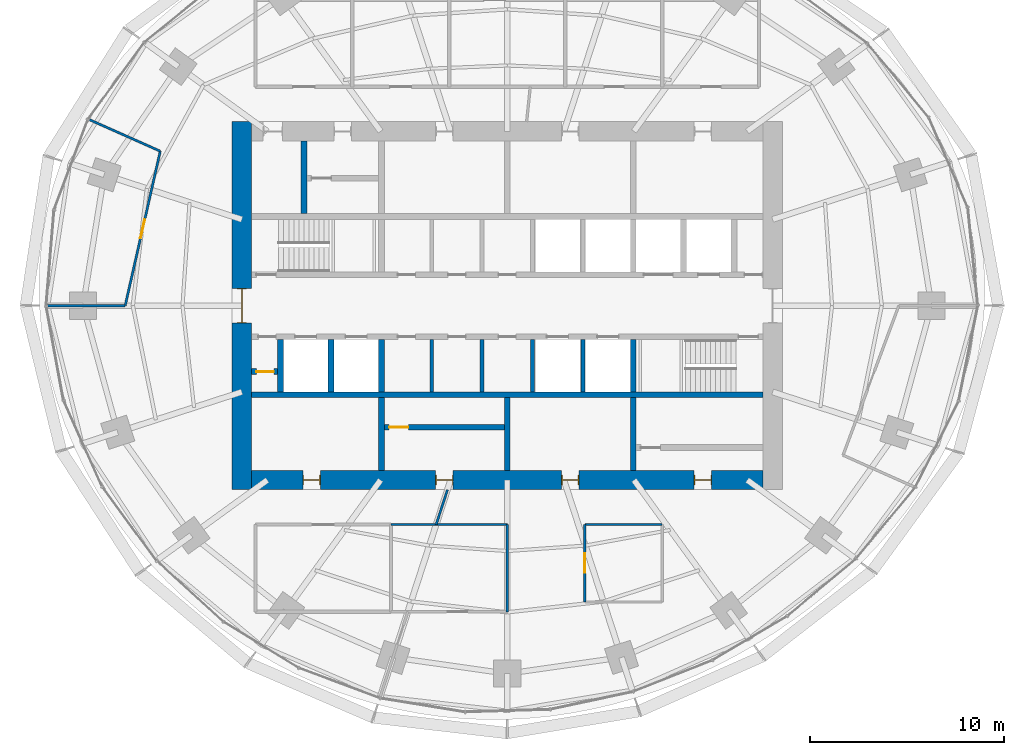
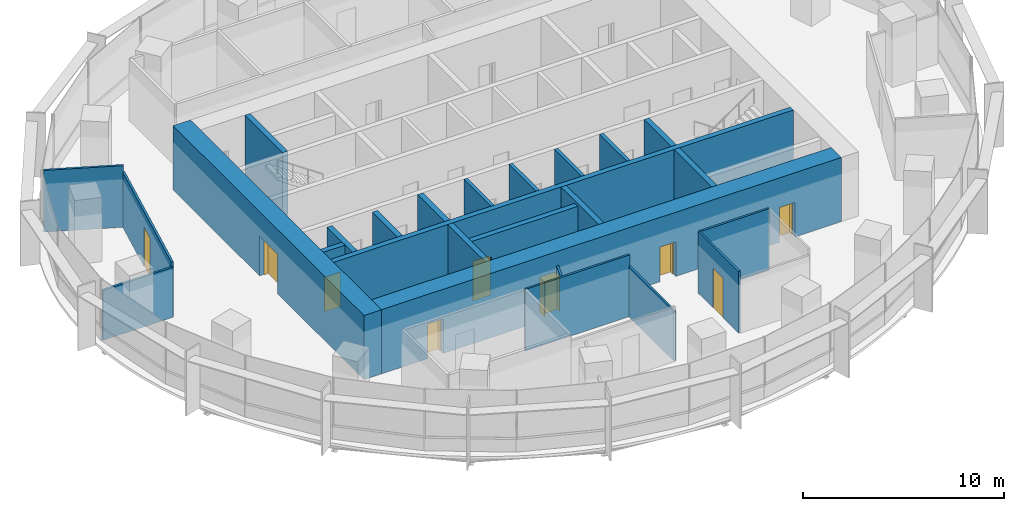
# One storey, part 10 of 14: 25 walls, 9 doors, 9 openings.
"""IFC4 building model written with IfcOpenShell, lengths in metres."""

from ifc_helpers import new_model, si_unit, direction, frame, frame_2d, origin, place, context, subcontext, project, spatial, rectangle, extrude, material, layer, layer_set, type_object, element, fill, save


model = new_model("IFC4")

# Units and contexts
model_context = context("Model", 3, precision=1e-05, world=origin(), true_north=direction((0.0, 1.0)))
body_context = subcontext(model_context, "Body", "Model", "MODEL_VIEW")
ifc_project = project(units=[si_unit("LENGTHUNIT", "METRE"), si_unit("AREAUNIT", "SQUARE_METRE"), si_unit("VOLUMEUNIT", "CUBIC_METRE"), si_unit("PLANEANGLEUNIT", "RADIAN"), si_unit("MASSUNIT", "GRAM", prefix="KILO")], contexts=[model_context])

# Site, building, storey
site_placement = place(None, origin())
site = spatial("IfcSite", under=ifc_project, at=site_placement, CompositionType="ELEMENT")
building_placement = place(site_placement, origin())
building = spatial("IfcBuilding", under=site, at=building_placement, Name="Marramba Exchange Tower", CompositionType="ELEMENT")
storey_placement = place(building_placement, frame((0.0, 0.0, 238.39990234375)))
storey = spatial("IfcBuildingStorey", under=building, at=storey_placement, Name="L58", CompositionType="ELEMENT", Elevation=238.39990234375)

# Walls
ifc_material_1 = material(Name="Concrete N50", Category="concrete")
ifc_layer_1 = layer(ifc_material_1, 0.199951171875)
ifc_layer_set_1 = layer_set([ifc_layer_1], Name="Core shaft wall 200")
wall_type_1 = type_object("IfcWallType", Name="Core shaft wall 200", PredefinedType="SHEAR", material=ifc_layer_set_1)
for number, where, z_axis, x_axis, name in (
    (1, (-3.89990234375, -1.75, 0.0), (0.0, 0.0, 1.0), (0.0, -1.0, 0.0), "Core wall SHS1 L58"),
    (2, (-1.300048828125, -1.75, 0.0), (0.0, 0.0, 1.0), (0.0, -1.0, 0.0), "Core wall SHS2 L58"),
    (3, (1.300048828125, -1.75, 0.0), (0.0, 0.0, 1.0), (0.0, -1.0, 0.0), "Core wall SHS3 L58"),
    (4, (3.89990234375, -1.75, 0.0), (0.0, 0.0, 1.0), (0.0, -1.0, 0.0), "Core wall SHS4 L58"),
):
    element("IfcWall", number, at=place(storey_placement, frame(where, z_axis=z_axis, x_axis=x_axis)), inside=storey, type_object=wall_type_1, Name=name, PredefinedType="SHEAR", context=body_context, shape_type="SweptSolid", body=[
        extrude(rectangle(XDim=2.699951171875, YDim=0.199951171875, at=frame_2d((1.35009765625, 0.0))), origin(), (0.0, 0.0, 1.0), 3.900146484375),
    ])

# Wall, openings, doors
ifc_layer_2 = layer(ifc_material_1, 1.0)
ifc_layer_set_2 = layer_set([ifc_layer_2], Name="Core wall 1000")
wall_type_2 = type_object("IfcWallType", Name="Core wall 1000", PredefinedType="SHEAR", material=ifc_layer_set_2)
wall_1_placement = place(storey_placement, frame((-13.199951171875, -9.0, 0.0), z_axis=(0.0, 0.0, 1.0), x_axis=(1.0, 0.0, 0.0)))
wall_1 = element("IfcWall", 5, at=wall_1_placement, inside=storey, type_object=wall_type_2, Name="Core wall S L58", PredefinedType="SHEAR", context=body_context, shape_type="SweptSolid", body=[
    extrude(rectangle(XDim=26.39990234375, YDim=1.0, at=frame_2d((13.199951171875, 0.0))), origin(), (0.0, 0.0, 1.0), 3.900146484375),
])
opening_1_placement = place(wall_1_placement, frame((2.64990234375, 0.0, 0.0)))
opening_1 = element("IfcOpeningElement", 6, at=opening_1_placement, cuts=wall_1, Name="Opening D5", PredefinedType="OPENING", context=body_context, shape_type="SweptSolid", body=[
    extrude(rectangle(XDim=0.89990234375, YDim=2.10009765625, at=frame_2d((0.449951171875, 1.050048828125))), frame((0.0, 0.510009765625, 0.0), z_axis=(0.0, -1.0, 0.0), x_axis=(1.0, 0.0, 0.0)), (0.0, 0.0, 1.0), 1.02001953125),
])
opening_2_placement = place(wall_1_placement, frame((9.5, 0.0, 0.0)))
opening_2 = element("IfcOpeningElement", 7, at=opening_2_placement, cuts=wall_1, Name="Opening D5", PredefinedType="OPENING", context=body_context, shape_type="SweptSolid", body=[
    extrude(rectangle(XDim=0.89990234375, YDim=2.10009765625, at=frame_2d((0.449951171875, 1.050048828125))), frame((0.0, 0.510009765625, 0.0), z_axis=(0.0, -1.0, 0.0), x_axis=(1.0, 0.0, 0.0)), (0.0, 0.0, 1.0), 1.02001953125),
])
opening_3_placement = place(wall_1_placement, frame((16.0, 0.0, 0.0)))
opening_3 = element("IfcOpeningElement", 8, at=opening_3_placement, cuts=wall_1, Name="Opening D5", PredefinedType="OPENING", context=body_context, shape_type="SweptSolid", body=[
    extrude(rectangle(XDim=0.89990234375, YDim=2.10009765625, at=frame_2d((0.449951171875, 1.050048828125))), frame((0.0, 0.510009765625, 0.0), z_axis=(0.0, -1.0, 0.0), x_axis=(1.0, 0.0, 0.0)), (0.0, 0.0, 1.0), 1.02001953125),
])
opening_4_placement = place(wall_1_placement, frame((22.85009765625, 0.0, 0.0)))
opening_4 = element("IfcOpeningElement", 9, at=opening_4_placement, cuts=wall_1, Name="Opening D5", PredefinedType="OPENING", context=body_context, shape_type="SweptSolid", body=[
    extrude(rectangle(XDim=0.89990234375, YDim=2.10009765625, at=frame_2d((0.449951171875, 1.050048828125))), frame((0.0, 0.510009765625, 0.0), z_axis=(0.0, -1.0, 0.0), x_axis=(1.0, 0.0, 0.0)), (0.0, 0.0, 1.0), 1.02001953125),
])
ifc_material_2 = material(Name="Steel-framed door", Category="steel")
door_type_1 = type_object("IfcDoorType", Name="Service door 900x2100", OperationType="SINGLE_SWING_LEFT", PredefinedType="DOOR", material=ifc_material_2)
door_1_placement = place(opening_1_placement, origin())
door_1 = element("IfcDoor", 10, at=door_1_placement, inside=storey, type_object=door_type_1, Name="D5 ahu L58", OperationType="SINGLE_SWING_LEFT", OverallHeight=2.10009765625, OverallWidth=0.89990234375, PredefinedType="DOOR", context=body_context, shape_type="SweptSolid", body=[
    extrude(rectangle(XDim=0.81982421875, YDim=2.06005859375, at=frame_2d((0.449951171875, 1.030029296875))), frame((0.0, 0.02490234375, 0.0), z_axis=(0.0, -1.0, 0.0), x_axis=(1.0, 0.0, 0.0)), (0.0, 0.0, 1.0), 0.050048828125),
    extrude(rectangle(XDim=0.04, YDim=2.10009765625, at=frame_2d((0.02001953125, 1.050048828125))), frame((0.0, 0.25, 0.0), z_axis=(0.0, -1.0, 0.0), x_axis=(1.0, 0.0, 0.0)), (0.0, 0.0, 1.0), 0.5),
    extrude(rectangle(XDim=0.04, YDim=2.10009765625, at=frame_2d((0.8798828125, 1.050048828125))), frame((0.0, 0.25, 0.0), z_axis=(0.0, -1.0, 0.0), x_axis=(1.0, 0.0, 0.0)), (0.0, 0.0, 1.0), 0.5),
    extrude(rectangle(XDim=0.81982421875, YDim=0.04, at=frame_2d((0.449951171875, 2.080078125))), frame((0.0, 0.25, 0.0), z_axis=(0.0, -1.0, 0.0), x_axis=(1.0, 0.0, 0.0)), (0.0, 0.0, 1.0), 0.5),
])
fill(opening_1, door_1)
door_2_placement = place(opening_2_placement, origin())
door_2 = element("IfcDoor", 11, at=door_2_placement, inside=storey, type_object=door_type_1, Name="D5 store L58", OperationType="SINGLE_SWING_RIGHT", OverallHeight=2.10009765625, OverallWidth=0.89990234375, PredefinedType="DOOR", context=body_context, shape_type="SweptSolid", body=[
    extrude(rectangle(XDim=0.81982421875, YDim=2.06005859375, at=frame_2d((0.449951171875, 1.030029296875))), frame((0.0, 0.02490234375, 0.0), z_axis=(0.0, -1.0, 0.0), x_axis=(1.0, 0.0, 0.0)), (0.0, 0.0, 1.0), 0.050048828125),
    extrude(rectangle(XDim=0.04, YDim=2.10009765625, at=frame_2d((0.02001953125, 1.050048828125))), frame((0.0, 0.25, 0.0), z_axis=(0.0, -1.0, 0.0), x_axis=(1.0, 0.0, 0.0)), (0.0, 0.0, 1.0), 0.5),
    extrude(rectangle(XDim=0.04, YDim=2.10009765625, at=frame_2d((0.8798828125, 1.050048828125))), frame((0.0, 0.25, 0.0), z_axis=(0.0, -1.0, 0.0), x_axis=(1.0, 0.0, 0.0)), (0.0, 0.0, 1.0), 0.5),
    extrude(rectangle(XDim=0.81982421875, YDim=0.04, at=frame_2d((0.449951171875, 2.080078125))), frame((0.0, 0.25, 0.0), z_axis=(0.0, -1.0, 0.0), x_axis=(1.0, 0.0, 0.0)), (0.0, 0.0, 1.0), 0.5),
])
fill(opening_2, door_2)
door_3_placement = place(opening_3_placement, origin())
door_3 = element("IfcDoor", 12, at=door_3_placement, inside=storey, type_object=door_type_1, Name="D5 switch L58", OperationType="SINGLE_SWING_RIGHT", OverallHeight=2.10009765625, OverallWidth=0.89990234375, PredefinedType="DOOR", context=body_context, shape_type="SweptSolid", body=[
    extrude(rectangle(XDim=0.81982421875, YDim=2.06005859375, at=frame_2d((0.449951171875, 1.030029296875))), frame((0.0, 0.02490234375, 0.0), z_axis=(0.0, -1.0, 0.0), x_axis=(1.0, 0.0, 0.0)), (0.0, 0.0, 1.0), 0.050048828125),
    extrude(rectangle(XDim=0.04, YDim=2.10009765625, at=frame_2d((0.02001953125, 1.050048828125))), frame((0.0, 0.25, 0.0), z_axis=(0.0, -1.0, 0.0), x_axis=(1.0, 0.0, 0.0)), (0.0, 0.0, 1.0), 0.5),
    extrude(rectangle(XDim=0.04, YDim=2.10009765625, at=frame_2d((0.8798828125, 1.050048828125))), frame((0.0, 0.25, 0.0), z_axis=(0.0, -1.0, 0.0), x_axis=(1.0, 0.0, 0.0)), (0.0, 0.0, 1.0), 0.5),
    extrude(rectangle(XDim=0.81982421875, YDim=0.04, at=frame_2d((0.449951171875, 2.080078125))), frame((0.0, 0.25, 0.0), z_axis=(0.0, -1.0, 0.0), x_axis=(1.0, 0.0, 0.0)), (0.0, 0.0, 1.0), 0.5),
])
fill(opening_3, door_3)
door_4_placement = place(opening_4_placement, origin())
door_4 = element("IfcDoor", 13, at=door_4_placement, inside=storey, type_object=door_type_1, Name="D5 cstore L58", OperationType="SINGLE_SWING_RIGHT", OverallHeight=2.10009765625, OverallWidth=0.89990234375, PredefinedType="DOOR", context=body_context, shape_type="SweptSolid", body=[
    extrude(rectangle(XDim=0.81982421875, YDim=2.06005859375, at=frame_2d((0.449951171875, 1.030029296875))), frame((0.0, 0.02490234375, 0.0), z_axis=(0.0, -1.0, 0.0), x_axis=(1.0, 0.0, 0.0)), (0.0, 0.0, 1.0), 0.050048828125),
    extrude(rectangle(XDim=0.04, YDim=2.10009765625, at=frame_2d((0.02001953125, 1.050048828125))), frame((0.0, 0.25, 0.0), z_axis=(0.0, -1.0, 0.0), x_axis=(1.0, 0.0, 0.0)), (0.0, 0.0, 1.0), 0.5),
    extrude(rectangle(XDim=0.04, YDim=2.10009765625, at=frame_2d((0.8798828125, 1.050048828125))), frame((0.0, 0.25, 0.0), z_axis=(0.0, -1.0, 0.0), x_axis=(1.0, 0.0, 0.0)), (0.0, 0.0, 1.0), 0.5),
    extrude(rectangle(XDim=0.81982421875, YDim=0.04, at=frame_2d((0.449951171875, 2.080078125))), frame((0.0, 0.25, 0.0), z_axis=(0.0, -1.0, 0.0), x_axis=(1.0, 0.0, 0.0)), (0.0, 0.0, 1.0), 0.5),
])
fill(opening_4, door_4)

# Wall, opening, door
wall_2_placement = place(storey_placement, frame((-13.699951171875, 9.5, 0.0), z_axis=(0.0, 0.0, 1.0), x_axis=(0.0, -1.0, 0.0)))
wall_2 = element("IfcWall", 14, at=wall_2_placement, inside=storey, type_object=wall_type_2, Name="Core wall W L58", PredefinedType="SHEAR", context=body_context, shape_type="SweptSolid", body=[
    extrude(rectangle(XDim=19.0, YDim=1.0, at=frame_2d((9.5, 0.0))), origin(), (0.0, 0.0, 1.0), 3.900146484375),
])
opening_5_placement = place(wall_2_placement, frame((8.60009765625, 0.0, 0.0)))
opening_5 = element("IfcOpeningElement", 15, at=opening_5_placement, cuts=wall_2, Name="Opening D1", PredefinedType="OPENING", context=body_context, shape_type="SweptSolid", body=[
    extrude(rectangle(XDim=1.800048828125, YDim=2.39990234375, at=frame_2d((0.89990234375, 1.199951171875))), frame((0.0, 0.510009765625, 0.0), z_axis=(0.0, -1.0, 0.0), x_axis=(1.0, 0.0, 0.0)), (0.0, 0.0, 1.0), 1.02001953125),
])
door_type_2 = type_object("IfcDoorType", Name="Lobby exit door 1800x2400", OperationType="DOUBLE_DOOR_SINGLE_SWING", PredefinedType="DOOR", material=ifc_material_2)
door_5_placement = place(opening_5_placement, origin())
door_5 = element("IfcDoor", 16, at=door_5_placement, inside=storey, type_object=door_type_2, Name="D1 lobby exit west L58", OperationType="DOUBLE_DOOR_SINGLE_SWING", OverallHeight=2.39990234375, OverallWidth=1.800048828125, PredefinedType="DOOR", context=body_context, shape_type="SweptSolid", body=[
    extrude(rectangle(XDim=1.719970703125, YDim=2.35986328125, at=frame_2d((0.89990234375, 1.179931640625))), frame((0.0, 0.02490234375, 0.0), z_axis=(0.0, -1.0, 0.0), x_axis=(1.0, 0.0, 0.0)), (0.0, 0.0, 1.0), 0.050048828125),
    extrude(rectangle(XDim=0.04, YDim=2.39990234375, at=frame_2d((0.02001953125, 1.199951171875))), frame((0.0, 0.25, 0.0), z_axis=(0.0, -1.0, 0.0), x_axis=(1.0, 0.0, 0.0)), (0.0, 0.0, 1.0), 0.5),
    extrude(rectangle(XDim=0.04, YDim=2.39990234375, at=frame_2d((1.780029296875, 1.199951171875))), frame((0.0, 0.25, 0.0), z_axis=(0.0, -1.0, 0.0), x_axis=(1.0, 0.0, 0.0)), (0.0, 0.0, 1.0), 0.5),
    extrude(rectangle(XDim=1.719970703125, YDim=0.04, at=frame_2d((0.89990234375, 2.3798828125))), frame((0.0, 0.25, 0.0), z_axis=(0.0, -1.0, 0.0), x_axis=(1.0, 0.0, 0.0)), (0.0, 0.0, 1.0), 0.5),
])
fill(opening_5, door_5)

# Walls
ifc_layer_3 = layer(ifc_material_1, 0.300048828125)
ifc_layer_set_3 = layer_set([ifc_layer_3], Name="Core wall 300")
wall_type_3 = type_object("IfcWallType", Name="Core wall 300", PredefinedType="SHEAR", material=ifc_layer_set_3)
wall_3_placement = place(storey_placement, frame((-13.199951171875, -4.60009765625, 0.0), z_axis=(0.0, 0.0, 1.0), x_axis=(1.0, 0.0, 0.0)))
element("IfcWall", 17, at=wall_3_placement, inside=storey, type_object=wall_type_3, Name="Core wall BS L58", PredefinedType="SHEAR", context=body_context, shape_type="SweptSolid", body=[
    extrude(rectangle(XDim=26.39990234375, YDim=0.300048828125, at=frame_2d((13.199951171875, 0.0))), origin(), (0.0, 0.0, 1.0), 3.900146484375),
])
wall_4_placement = place(storey_placement, frame((-6.5, -1.75, 0.0), z_axis=(0.0, 0.0, 1.0), x_axis=(0.0, -1.0, 0.0)))
element("IfcWall", 18, at=wall_4_placement, inside=storey, type_object=wall_type_3, Name="Core wall X0Sa L58", PredefinedType="SHEAR", context=body_context, shape_type="SweptSolid", body=[
    extrude(rectangle(XDim=2.699951171875, YDim=0.300048828125, at=frame_2d((1.35009765625, 0.0))), origin(), (0.0, 0.0, 1.0), 3.900146484375),
])
wall_5_placement = place(storey_placement, frame((-6.5, -4.75, 0.0), z_axis=(0.0, 0.0, 1.0), x_axis=(0.0, -1.0, 0.0)))
element("IfcWall", 19, at=wall_5_placement, inside=storey, type_object=wall_type_3, Name="Core wall X0Sb L58", PredefinedType="SHEAR", context=body_context, shape_type="SweptSolid", body=[
    extrude(rectangle(XDim=3.75, YDim=0.300048828125, at=frame_2d((1.875, 0.0))), origin(), (0.0, 0.0, 1.0), 3.900146484375),
])
wall_6_placement = place(storey_placement, frame((6.5, -1.75, 0.0), z_axis=(0.0, 0.0, 1.0), x_axis=(0.0, -1.0, 0.0)))
element("IfcWall", 20, at=wall_6_placement, inside=storey, type_object=wall_type_3, Name="Core wall X1Sa L58", PredefinedType="SHEAR", context=body_context, shape_type="SweptSolid", body=[
    extrude(rectangle(XDim=2.699951171875, YDim=0.300048828125, at=frame_2d((1.35009765625, 0.0))), origin(), (0.0, 0.0, 1.0), 3.900146484375),
])
for number, where, z_axis, x_axis, name in (
    (21, (6.5, -4.75, 0.0), (0.0, 0.0, 1.0), (0.0, -1.0, 0.0), "Core wall X1Sb L58"),
    (22, (0.0, -4.75, 0.0), (0.0, 0.0, 1.0), (0.0, -1.0, 0.0), "Core wall MS L58"),
    (23, (-10.5, 4.75, 0.0), (0.0, 0.0, 1.0), (0.0, 1.0, 0.0), "Core wall WD L58"),
):
    element("IfcWall", number, at=place(storey_placement, frame(where, z_axis=z_axis, x_axis=x_axis)), inside=storey, type_object=wall_type_3, Name=name, PredefinedType="SHEAR", context=body_context, shape_type="SweptSolid", body=[
        extrude(rectangle(XDim=3.75, YDim=0.300048828125, at=frame_2d((1.875, 0.0))), origin(), (0.0, 0.0, 1.0), 3.900146484375),
    ])
ifc_material_3 = material(Name="Core-filled concrete blockwork", Category="masonry")
ifc_layer_4 = layer(ifc_material_3, 0.300048828125)
ifc_layer_set_4 = layer_set([ifc_layer_4], Name="Lift shaft wall 300")
wall_type_4 = type_object("IfcWallType", Name="Lift shaft wall 300", PredefinedType="SOLIDWALL", material=ifc_layer_set_4)
for number, where, z_axis, x_axis, name in (
    (24, (-9.10009765625, -1.75, 0.0), (0.0, 0.0, 1.0), (0.0, -1.0, 0.0), "Lift shaft wall W1 L58"),
    (25, (-11.699951171875, -1.75, 0.0), (0.0, 0.0, 1.0), (0.0, -1.0, 0.0), "Lift shaft wall W2 L58"),
):
    element("IfcWall", number, at=place(storey_placement, frame(where, z_axis=z_axis, x_axis=x_axis)), inside=storey, type_object=wall_type_4, Name=name, PredefinedType="SOLIDWALL", context=body_context, shape_type="SweptSolid", body=[
        extrude(rectangle(XDim=2.699951171875, YDim=0.300048828125, at=frame_2d((1.35009765625, 0.0))), origin(), (0.0, 0.0, 1.0), 3.739990234375),
    ])
ifc_material_4 = material(Name="Plasterboard on steel studs", Category="steel")
ifc_layer_5 = layer(ifc_material_4, 0.1201171875)
ifc_layer_set_5 = layer_set([ifc_layer_5], Name="Partition 120")
wall_type_5 = type_object("IfcWallType", Name="Partition 120", PredefinedType="PARTITIONING", material=ifc_layer_set_5)
wall_7_placement = place(storey_placement, frame((-3.671630859375, -11.300048828125, 0.0), z_axis=(0.0, 0.0, 1.0), x_axis=(0.309059822154, 0.95104259964, 0.0)))
element("IfcWall", 26, at=wall_7_placement, inside=storey, type_object=wall_type_5, Name="Partition L58 06", PredefinedType="PARTITIONING", context=body_context, shape_type="SweptSolid", body=[
    extrude(rectangle(XDim=1.892822265625, YDim=0.1201171875, at=frame_2d((0.9462890625, 0.0))), origin(), (0.0, 0.0, 1.0), 3.0400390625),
])
wall_8_placement = place(storey_placement, frame((0.0, -11.300048828125, 0.0), z_axis=(0.0, 0.0, 1.0), x_axis=(-1.0, 0.0, 0.0)))
element("IfcWall", 27, at=wall_8_placement, inside=storey, type_object=wall_type_5, Name="Partition L58 07", PredefinedType="PARTITIONING", context=body_context, shape_type="SweptSolid", body=[
    extrude(rectangle(XDim=6.0, YDim=0.1201171875, at=frame_2d((3.0, 0.0))), origin(), (0.0, 0.0, 1.0), 3.739990234375),
])
wall_9_placement = place(storey_placement, frame((0.0, -15.800048828125, 0.0), z_axis=(0.0, 0.0, 1.0), x_axis=(0.0, 1.0, 0.0)))
element("IfcWall", 28, at=wall_9_placement, inside=storey, type_object=wall_type_5, Name="Partition L58 09", PredefinedType="PARTITIONING", context=body_context, shape_type="SweptSolid", body=[
    extrude(rectangle(XDim=4.5, YDim=0.1201171875, at=frame_2d((2.25, 0.0))), origin(), (0.0, 0.0, 1.0), 3.0400390625),
])

# Wall, opening, door
wall_10_placement = place(storey_placement, frame((4.0, -15.300048828125, 0.0), z_axis=(0.0, 0.0, 1.0), x_axis=(0.0, 1.0, 0.0)))
wall_10 = element("IfcWall", 29, at=wall_10_placement, inside=storey, type_object=wall_type_5, Name="Partition L58 10", PredefinedType="PARTITIONING", context=body_context, shape_type="SweptSolid", body=[
    extrude(rectangle(XDim=4.0, YDim=0.1201171875, at=frame_2d((2.0, 0.0))), origin(), (0.0, 0.0, 1.0), 3.739990234375),
])
opening_6_placement = place(wall_10_placement, frame((1.52587890625, 0.0, 0.0)))
opening_6 = element("IfcOpeningElement", 30, at=opening_6_placement, cuts=wall_10, Name="Opening D9", PredefinedType="OPENING", context=body_context, shape_type="SweptSolid", body=[
    extrude(rectangle(XDim=1.0, YDim=2.39990234375, at=frame_2d((0.5, 1.199951171875))), frame((0.0, 0.070068359375, 0.0), z_axis=(0.0, -1.0, 0.0), x_axis=(1.0, 0.0, 0.0)), (0.0, 0.0, 1.0), 0.14013671875),
])
ifc_material_5 = material(Name="Timber door", Category="wood")
door_type_3 = type_object("IfcDoorType", Name="Room door 1000x2400", OperationType="SINGLE_SWING_LEFT", PredefinedType="DOOR", material=ifc_material_5)
door_6_placement = place(opening_6_placement, frame((1.0, 0.0, 0.0), z_axis=(0.0, 0.0, 1.0), x_axis=(-1.0, 0.0, 0.0)))
door_6 = element("IfcDoor", 31, at=door_6_placement, inside=storey, type_object=door_type_3, Name="D9 Print Room L58", OperationType="SINGLE_SWING_LEFT", OverallHeight=2.39990234375, OverallWidth=1.0, PredefinedType="DOOR", context=body_context, shape_type="SweptSolid", body=[
    extrude(rectangle(XDim=1.0, YDim=2.39990234375, at=frame_2d((0.5, 1.199951171875))), frame((0.0, 0.025146484375, 0.0), z_axis=(0.0, -1.0, 0.0), x_axis=(1.0, 0.0, 0.0)), (0.0, 0.0, 1.0), 0.050048828125),
])
fill(opening_6, door_6)

# Walls
for number, where, z_axis, x_axis, name in (
    (32, (4.0, -11.300048828125, 0.0), (0.0, 0.0, 1.0), (1.0, 0.0, 0.0), "Partition L58 12"),
    (33, (-17.914794921875, 7.976318359375, 0.0), (0.0, 0.0, 1.0), (-0.913549606868, 0.406727323635, 0.0), "Partition L58 27"),
):
    element("IfcWall", number, at=place(storey_placement, frame(where, z_axis=z_axis, x_axis=x_axis)), inside=storey, type_object=wall_type_5, Name=name, PredefinedType="PARTITIONING", context=body_context, shape_type="SweptSolid", body=[
        extrude(rectangle(XDim=4.0, YDim=0.1201171875, at=frame_2d((2.0, 0.0))), origin(), (0.0, 0.0, 1.0), 3.739990234375),
    ])

# Wall, opening, door
wall_11_placement = place(storey_placement, frame((-19.72607421875, 0.0, 0.0), z_axis=(0.0, 0.0, 1.0), x_axis=(0.221444355936, 0.975173008868, 0.0)))
wall_11 = element("IfcWall", 34, at=wall_11_placement, inside=storey, type_object=wall_type_5, Name="Partition L58 28", PredefinedType="PARTITIONING", context=body_context, shape_type="SweptSolid", body=[
    extrude(rectangle(XDim=8.179443359375, YDim=0.1201171875, at=frame_2d((4.08984375, 0.0))), origin(), (0.0, 0.0, 1.0), 3.333984375),
])
opening_7_placement = place(wall_11_placement, frame((3.56494140625, 0.0, 0.0)))
opening_7 = element("IfcOpeningElement", 35, at=opening_7_placement, cuts=wall_11, Name="Opening D9", PredefinedType="OPENING", context=body_context, shape_type="SweptSolid", body=[
    extrude(rectangle(XDim=1.0, YDim=2.39990234375, at=frame_2d((0.5, 1.199951171875))), frame((0.0, 0.070068359375, 0.0), z_axis=(0.0, -1.0, 0.0), x_axis=(1.0, 0.0, 0.0)), (0.0, 0.0, 1.0), 0.14013671875),
])
door_7_placement = place(opening_7_placement, origin())
door_7 = element("IfcDoor", 36, at=door_7_placement, inside=storey, type_object=door_type_3, Name="D9 Office 2 L58", OperationType="SINGLE_SWING_RIGHT", OverallHeight=2.39990234375, OverallWidth=1.0, PredefinedType="DOOR", context=body_context, shape_type="SweptSolid", body=[
    extrude(rectangle(XDim=1.0, YDim=2.39990234375, at=frame_2d((0.5, 1.199951171875))), frame((0.0, 0.02490234375, 0.0), z_axis=(0.0, -1.0, 0.0), x_axis=(1.0, 0.0, 0.0)), (0.0, 0.0, 1.0), 0.050048828125),
])
fill(opening_7, door_7)

# Wall
wall_12_placement = place(storey_placement, frame((-23.72607421875, 0.0, 0.0), z_axis=(0.0, 0.0, 1.0), x_axis=(1.0, 0.0, 0.0)))
element("IfcWall", 37, at=wall_12_placement, inside=storey, type_object=wall_type_5, Name="Partition L58 29", PredefinedType="PARTITIONING", context=body_context, shape_type="SweptSolid", body=[
    extrude(rectangle(XDim=4.0, YDim=0.1201171875, at=frame_2d((2.0, 0.0))), origin(), (0.0, 0.0, 1.0), 3.0400390625),
])

# Wall, opening, door
ifc_layer_6 = layer(ifc_material_3, 0.300048828125)
ifc_layer_set_6 = layer_set([ifc_layer_6], Name="Riser enclosure wall 300")
wall_type_6 = type_object("IfcWallType", Name="Riser enclosure wall 300", PredefinedType="SOLIDWALL", material=ifc_layer_set_6)
wall_13_placement = place(storey_placement, frame((-13.199951171875, -3.39990234375, 0.0), z_axis=(0.0, 0.0, 1.0), x_axis=(1.0, 0.0, 0.0)))
wall_13 = element("IfcWall", 38, at=wall_13_placement, inside=storey, type_object=wall_type_6, Name="Riser enclosure wall L58", PredefinedType="SOLIDWALL", context=body_context, shape_type="SweptSolid", body=[
    extrude(rectangle(XDim=1.349853515625, YDim=0.300048828125, at=frame_2d((0.6748046875, 0.0))), origin(), (0.0, 0.0, 1.0), 3.739990234375),
])
opening_8_placement = place(wall_13_placement, frame((0.25, 0.0, 0.0)))
opening_8 = element("IfcOpeningElement", 39, at=opening_8_placement, cuts=wall_13, Name="Opening D5", PredefinedType="OPENING", context=body_context, shape_type="SweptSolid", body=[
    extrude(rectangle(XDim=0.89990234375, YDim=2.10009765625, at=frame_2d((0.449951171875, 1.050048828125))), frame((0.0, 0.159912109375, 0.0), z_axis=(0.0, -1.0, 0.0), x_axis=(1.0, 0.0, 0.0)), (0.0, 0.0, 1.0), 0.320068359375),
])
door_8_placement = place(opening_8_placement, frame((0.89990234375, 0.0, 0.0), z_axis=(0.0, 0.0, 1.0), x_axis=(-1.0, 0.0, 0.0)))
door_8 = element("IfcDoor", 40, at=door_8_placement, inside=storey, type_object=door_type_1, Name="D5 electrical riser back L58", OperationType="SINGLE_SWING_LEFT", OverallHeight=2.10009765625, OverallWidth=0.89990234375, PredefinedType="DOOR", context=body_context, shape_type="SweptSolid", body=[
    extrude(rectangle(XDim=0.89990234375, YDim=2.10009765625, at=frame_2d((0.449951171875, 1.050048828125))), frame((0.0, 0.025146484375, 0.0), z_axis=(0.0, -1.0, 0.0), x_axis=(1.0, 0.0, 0.0)), (0.0, 0.0, 1.0), 0.050048828125),
])
fill(opening_8, door_8)

ifc_material_6 = material(Name="Plasterboard on steel studs, insulated, unrated", Category="steel")
ifc_layer_7 = layer(ifc_material_6, 0.300048828125)
ifc_layer_set_7 = layer_set([ifc_layer_7], Name="Store partition 300")
wall_type_7 = type_object("IfcWallType", Name="Store partition 300", PredefinedType="PARTITIONING", material=ifc_layer_set_7)
wall_14_placement = place(storey_placement, frame((-6.35009765625, -6.27197265625, 0.0), z_axis=(0.0, 0.0, 1.0), x_axis=(1.0, 0.0, 0.0)))
wall_14 = element("IfcWall", 41, at=wall_14_placement, inside=storey, type_object=wall_type_7, Name="Store partition L58 store", PredefinedType="PARTITIONING", context=body_context, shape_type="SweptSolid", body=[
    extrude(rectangle(XDim=6.2001953125, YDim=0.300048828125, at=frame_2d((3.10009765625, 0.0))), origin(), (0.0, 0.0, 1.0), 3.739990234375),
])
opening_9_placement = place(wall_14_placement, frame((0.25, 0.0, 0.0)))
opening_9 = element("IfcOpeningElement", 42, at=opening_9_placement, cuts=wall_14, Name="Opening D9", PredefinedType="OPENING", context=body_context, shape_type="SweptSolid", body=[
    extrude(rectangle(XDim=1.0, YDim=2.39990234375, at=frame_2d((0.5, 1.199951171875))), frame((0.0, 0.159912109375, 0.0), z_axis=(0.0, -1.0, 0.0), x_axis=(1.0, 0.0, 0.0)), (0.0, 0.0, 1.0), 0.320068359375),
])
door_9_placement = place(opening_9_placement, origin())
door_9 = element("IfcDoor", 43, at=door_9_placement, inside=storey, type_object=door_type_3, Name="D9 stationery store L58", OperationType="SINGLE_SWING_LEFT", OverallHeight=2.39990234375, OverallWidth=1.0, PredefinedType="DOOR", context=body_context, shape_type="SweptSolid", body=[
    extrude(rectangle(XDim=1.0, YDim=2.39990234375, at=frame_2d((0.5, 1.199951171875))), frame((0.0, 0.02490234375, 0.0), z_axis=(0.0, -1.0, 0.0), x_axis=(1.0, 0.0, 0.0)), (0.0, 0.0, 1.0), 0.050048828125),
])
fill(opening_9, door_9)

save(model, "model.ifc")
